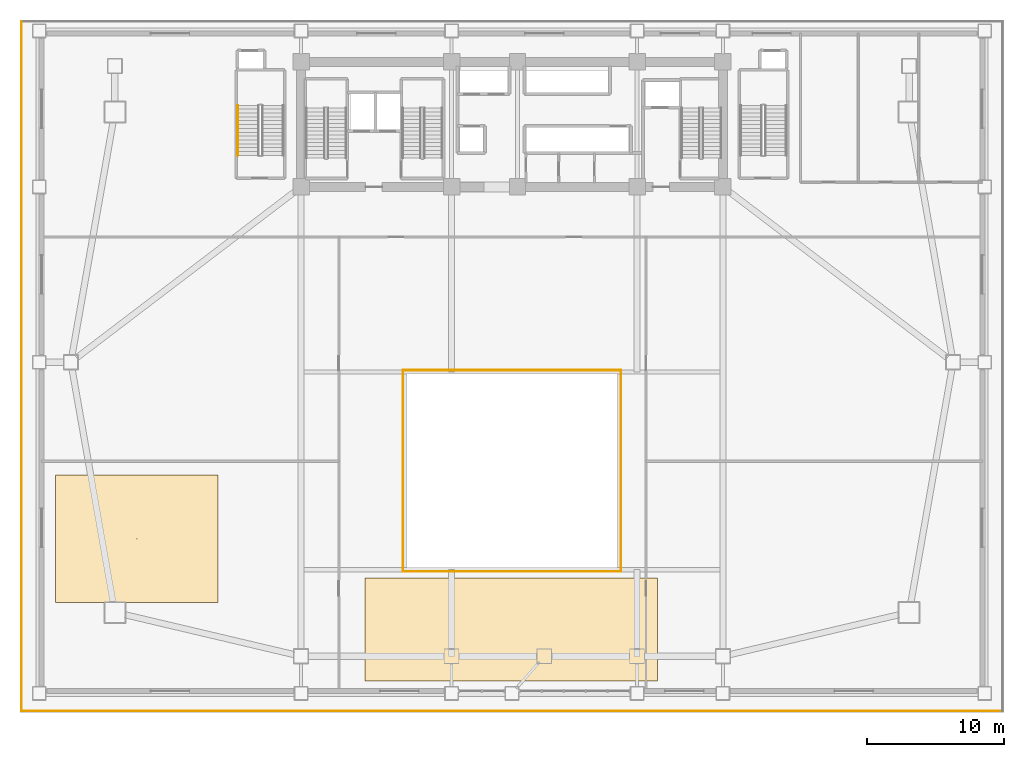
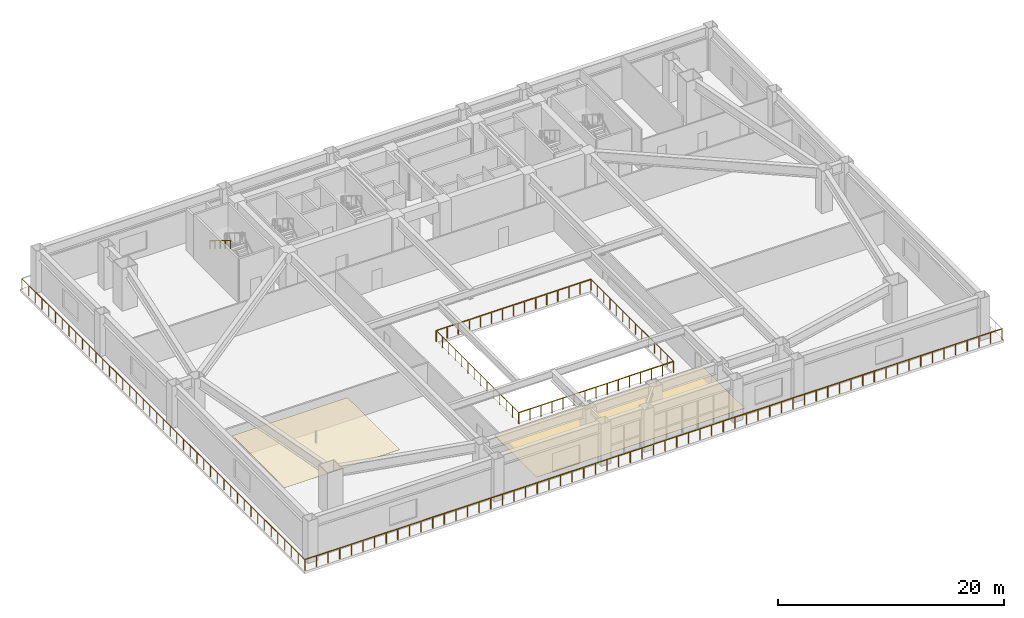
# One storey, part 11 of 14: 7 railings, 2 coverings.
"""IFC4 building model written with IfcOpenShell, lengths in metres."""

import ifcopenshell
import ifcopenshell.guid

model = None  # the IFC model being written
_history = None  # IfcOwnerHistory: only IFC2X3 demands one
_inside = {}  # id of a spatial element -> (the spatial element, [elements in it])
_under = {}  # id of a project, library or spatial element -> (it, [spatial elements below it])
_declared = {}  # id of a project -> (the project, [libraries it declares])
_typed = {}  # id of a type object -> (the type object, [elements of that type])
_made_of = {}  # id of a material, layer set ... -> (it, [elements and type objects made of it])


def new_model(schema):
    """Start an empty IFC model of exactly this schema.

    Asked for "IFC4X3", IfcOpenShell would pick the latest addendum, in which some entities
    have other attributes; the version numbers below select the first issue.
    IFC2X3 requires an IfcOwnerHistory on every rooted entity: one is made here for all.
    """
    global model, _history
    if schema == "IFC4X3":
        model = ifcopenshell.file(schema_version=(4, 3, 0, 0))
    else:
        model = ifcopenshell.file(schema=schema)
    _inside.clear()
    _under.clear()
    _declared.clear()
    _typed.clear()
    _made_of.clear()
    _history = None
    if model.schema == "IFC2X3":
        org = make("IfcOrganization", Name="unknown")
        user = make(
            "IfcPersonAndOrganization",
            ThePerson=make("IfcPerson", FamilyName="unknown"),
            TheOrganization=org,
        )
        app = make(
            "IfcApplication",
            ApplicationDeveloper=org,
            Version="unknown",
            ApplicationFullName="unknown",
            ApplicationIdentifier="unknown",
        )
        _history = make(
            "IfcOwnerHistory",
            OwningUser=user,
            OwningApplication=app,
            ChangeAction="ADDED",
            CreationDate=0,
        )
    return model


def make(cls, **values):
    """One entity of the class cls with the attributes given. An attribute that is None is left unset."""
    return model.create_entity(
        cls, **{name: value for name, value in values.items() if value is not None}
    )


def rooted(cls, **values):
    """An entity with a GlobalId (a new one), such as an element, a storey or a relation."""
    return make(cls, GlobalId=ifcopenshell.guid.new(), OwnerHistory=_history, **values)


def si_unit(unit_type, name, prefix=None):
    """IfcSIUnit, for example si_unit("LENGTHUNIT", "METRE", prefix="MILLI")."""
    return make("IfcSIUnit", UnitType=unit_type, Prefix=prefix, Name=name)


def assignment(units):
    """IfcUnitAssignment: the units of a project."""
    return None if units is None else make("IfcUnitAssignment", Units=units)


def point(xyz):
    """IfcCartesianPoint."""
    return None if xyz is None else make("IfcCartesianPoint", Coordinates=xyz)


def direction(xyz):
    """IfcDirection."""
    return None if xyz is None else make("IfcDirection", DirectionRatios=xyz)


def frame(location, z_axis=None, x_axis=None):
    """IfcAxis2Placement3D, a coordinate frame: its origin and axes. An axis left out is left unset."""
    return make(
        "IfcAxis2Placement3D",
        Location=point(location),
        Axis=direction(z_axis),
        RefDirection=direction(x_axis),
    )


def frame_2d(location, x_axis=None):
    """IfcAxis2Placement2D, a coordinate frame in the plane: its origin and x axis."""
    return make(
        "IfcAxis2Placement2D", Location=point(location), RefDirection=direction(x_axis)
    )


def origin():
    """The frame at (0, 0, 0) with its axes left unset."""
    return frame((0.0, 0.0, 0.0))


def origin_2d():
    """The frame at (0, 0) in the plane with its x axis left unset."""
    return frame_2d((0.0, 0.0))


def place(relative_to, where):
    """IfcLocalPlacement: puts the frame where relative to a parent placement (None: the world)."""
    return make(
        "IfcLocalPlacement", PlacementRelTo=relative_to, RelativePlacement=where
    )


def context(
    kind, dimensions, precision=None, world=None, true_north=None, identifier=None
):
    """IfcGeometricRepresentationContext, for example the 3D "Model" context."""
    return make(
        "IfcGeometricRepresentationContext",
        ContextIdentifier=identifier,
        ContextType=kind,
        CoordinateSpaceDimension=dimensions,
        Precision=precision,
        WorldCoordinateSystem=world,
        TrueNorth=true_north,
    )


def subcontext(parent, identifier, kind, view, scale=None):
    """IfcGeometricRepresentationSubContext, for example "Body" below "Model"."""
    return make(
        "IfcGeometricRepresentationSubContext",
        ContextIdentifier=identifier,
        ContextType=kind,
        ParentContext=parent,
        TargetScale=scale,
        TargetView=view,
    )


def project(units=None, contexts=None):
    """IfcProject with its units and contexts."""
    return rooted(
        "IfcProject",
        Name="project",
        RepresentationContexts=contexts,
        UnitsInContext=assignment(units),
    )


def spatial(cls, under=None, at=None, **own):
    """A site, building, storey or space (cls), placed at a placement, below another one or the project."""
    s = rooted(cls, ObjectPlacement=at, **own)
    if under is not None:
        _under.setdefault(under.id(), (under, []))[1].append(s)
    return s


def polyline(points):
    """IfcPolyline through the points."""
    return make("IfcPolyline", Points=[point(p) for p in points])


def profile(cls, at=None, kind="AREA", **sizes):
    """A parametric profile (cls). Its sizes go by their IFC names, for example OverallWidth=200.0."""
    return make(cls, ProfileType=kind, Position=at, **sizes)


def rectangle(**sizes):
    """IfcRectangleProfileDef."""
    return profile("IfcRectangleProfileDef", **sizes)


def outline(outer, holes=None, kind="AREA"):
    """IfcArbitraryClosedProfileDef: a profile drawn as a closed curve; with holes, ...WithVoids."""
    if holes is None:
        return make("IfcArbitraryClosedProfileDef", ProfileType=kind, OuterCurve=outer)
    return make(
        "IfcArbitraryProfileDefWithVoids",
        ProfileType=kind,
        OuterCurve=outer,
        InnerCurves=holes,
    )


def extrude(swept, where, along, depth):
    """IfcExtrudedAreaSolid: the profile swept, set in the frame where, extruded along a direction by depth."""
    return make(
        "IfcExtrudedAreaSolid",
        SweptArea=swept,
        Position=where,
        ExtrudedDirection=direction(along),
        Depth=depth,
    )


def shape(context_of_items, identifier, shape_type, items):
    """IfcShapeRepresentation: the items that make up one representation, for example the "Body"."""
    return make(
        "IfcShapeRepresentation",
        ContextOfItems=context_of_items,
        RepresentationIdentifier=identifier,
        RepresentationType=shape_type,
        Items=items,
    )


def material(Name=None, Category=None):
    """IfcMaterial."""
    return make("IfcMaterial", Name=Name, Category=Category)


def layer(
    of_material, thickness, ventilated=None, Name=None, Category=None, Priority=None
):
    """IfcMaterialLayer: one layer of a wall or slab, of a material (None: an air gap)."""
    return make(
        "IfcMaterialLayer",
        Material=of_material,
        LayerThickness=thickness,
        IsVentilated=ventilated,
        Name=Name,
        Category=Category,
        Priority=Priority,
    )


def layer_set(layers, Name=None):
    """IfcMaterialLayerSet."""
    return make("IfcMaterialLayerSet", MaterialLayers=layers, LayerSetName=Name)


def made_of(thing, what):
    """Note that an element or type object is made of a material, layer set ...; save() writes the relation."""
    if what is not None:
        _made_of.setdefault(what.id(), (what, []))[1].append(thing)
    return thing


def type_object(cls, material=None, **own):
    """A type object (cls), such as IfcWallType, which elements share."""
    return made_of(rooted(cls, **own), material)


def element(
    cls,
    number,
    at=None,
    inside=None,
    cuts=None,
    type_object=None,
    material=None,
    context=None,
    identifier="Body",
    shape_type=None,
    held_by="IfcProductDefinitionShape",
    body=None,
    shapes=None,
    **own,
):
    """One element of the class cls, such as IfcWall. Its Tag is "e" and its number.

    at: its placement. inside: the storey or other place that contains it. cuts: it is an
    opening in that element (IfcRelVoidsElement). A single representation is given by context,
    identifier, shape_type and body (its items); several are given by shapes. held_by: the class
    of the entity that holds the representations. save() writes the other relations.
    """
    e = rooted(cls, Tag="e%d" % number, ObjectPlacement=at, **own)
    if body is not None:
        shapes = [shape(context, identifier, shape_type, body)]
    if shapes is not None:
        e.Representation = make(held_by, Representations=shapes)
    if inside is not None:
        _inside.setdefault(inside.id(), (inside, []))[1].append(e)
    if cuts is not None:
        rooted(
            "IfcRelVoidsElement", RelatingBuildingElement=cuts, RelatedOpeningElement=e
        )
    if type_object is not None:
        _typed.setdefault(type_object.id(), (type_object, []))[1].append(e)
    return made_of(e, material)


def aggregate(whole, parts):
    """IfcRelAggregates: a whole, such as a stair, and the parts it consists of."""
    return rooted("IfcRelAggregates", RelatingObject=whole, RelatedObjects=parts)


def save(model, path):
    """Write the relations noted so far, then the file.

    IfcRelAggregates (storeys below a building ...), IfcRelContainedInSpatialStructure (elements
    in a storey), IfcRelDefinesByType, IfcRelAssociatesMaterial and IfcRelDeclares: one each for
    every whole, place, type object, material and project.
    """
    for whole, parts in _under.values():
        aggregate(whole, parts)
    for where, things in _inside.values():
        rooted(
            "IfcRelContainedInSpatialStructure",
            RelatedElements=things,
            RelatingStructure=where,
        )
    for kind, things in _typed.values():
        rooted("IfcRelDefinesByType", RelatedObjects=things, RelatingType=kind)
    for what, things in _made_of.values():
        rooted("IfcRelAssociatesMaterial", RelatedObjects=things, RelatingMaterial=what)
    for by, libraries in _declared.values():
        rooted("IfcRelDeclares", RelatingContext=by, RelatedDefinitions=libraries)
    model.write(path)


model = new_model("IFC4")

# Units and contexts
model_context = context("Model", 3, precision=1e-05, world=origin(), true_north=direction((0.0, 1.0)))
body_context = subcontext(model_context, "Body", "Model", "MODEL_VIEW")
ifc_project = project(units=[si_unit("LENGTHUNIT", "METRE"), si_unit("AREAUNIT", "SQUARE_METRE"), si_unit("VOLUMEUNIT", "CUBIC_METRE"), si_unit("PLANEANGLEUNIT", "RADIAN"), si_unit("MASSUNIT", "GRAM", prefix="KILO")], contexts=[model_context])

# Site, building, storey
site_placement = place(None, origin())
site = spatial("IfcSite", under=ifc_project, at=site_placement, CompositionType="ELEMENT")
building_placement = place(site_placement, origin())
building = spatial("IfcBuilding", under=site, at=building_placement, Name="Giltprow Tower", CompositionType="ELEMENT")
storey_placement = place(building_placement, frame((0.0, 0.0, 5.60009765625)))
storey = spatial("IfcBuildingStorey", under=building, at=storey_placement, Name="L02", CompositionType="ELEMENT", Elevation=5.60009765625)

# Coverings
ifc_material_1 = material(Name="Acoustic mineral fibre", Category="gypsum")
ifc_layer_1 = layer(ifc_material_1, 0.030029296875, Name="Acoustic mineral fibre")
ifc_layer_set_1 = layer_set([ifc_layer_1], Name="Acoustic mineral fibre")
covering_type_1 = type_object("IfcCoveringType", Name="COV-CLG-ACOUSTIC", PredefinedType="CEILING", material=ifc_layer_set_1)
covering_1_placement = place(storey_placement, frame((0.0, 0.0, 3.27001953125)))
element("IfcCovering", 1, at=covering_1_placement, inside=storey, type_object=covering_type_1, Name="L02 Acoustic Suspended Ceiling", PredefinedType="CEILING", context=body_context, shape_type="SweptSolid", body=[
    extrude(outline(polyline([(2.0, 7.199951171875), (13.800048828125, 7.199951171875), (13.800048828125, 16.5), (2.0, 16.5), (2.0, 7.199951171875)])), origin(), (0.0, 0.0, 1.0), 0.02978515625),
])
ifc_material_2 = material(Name="Honed granite", Category="masonry")
ifc_layer_2 = layer(ifc_material_2, 0.030029296875, Name="Honed granite")
ifc_layer_set_2 = layer_set([ifc_layer_2], Name="Honed granite")
covering_type_2 = type_object("IfcCoveringType", Name="COV-FLR-STONE", PredefinedType="FLOORING", material=ifc_layer_set_2)
covering_2_placement = place(storey_placement, origin())
element("IfcCovering", 2, at=covering_2_placement, inside=storey, type_object=covering_type_2, Name="L02 Honed Granite Concourse Flooring", PredefinedType="FLOORING", context=body_context, shape_type="SweptSolid", body=[
    extrude(outline(polyline([(24.5, 1.5), (45.800048828125, 1.5), (45.800048828125, 9.0), (24.5, 9.0), (24.5, 1.5)])), origin(), (0.0, 0.0, 1.0), 0.02978515625),
])

# Railings
ifc_material_3 = material(Name="Anodized bronze", Category="metal")
railing_type_1 = type_object("IfcRailingType", Name="RAIL-ATR-BAL-1220", PredefinedType="BALUSTRADE", material=ifc_material_3)
railing_1_placement = place(storey_placement, frame((27.280029296875, 9.47998046875, 0.0)))
element("IfcRailing", 3, at=railing_1_placement, inside=storey, type_object=railing_type_1, Name="L02 Podium Atrium Balustrade Seg 1", PredefinedType="BALUSTRADE", context=body_context, shape_type="SweptSolid", body=[
    extrude(rectangle(XDim=0.048095703125, YDim=0.048095703125, at=origin_2d()), frame((0.0, 0.0, 1.19580078125), z_axis=(1.0, 0.0, 0.0), x_axis=(0.0, 1.0, 0.0)), (0.0, 0.0, 1.0), 15.840087890625),
    extrude(rectangle(XDim=0.0419921875, YDim=0.0419921875, at=origin_2d()), origin(), (0.0, 0.0, 1.0), 1.171875),
    extrude(rectangle(XDim=0.0419921875, YDim=0.0419921875, at=origin_2d()), frame((1.13134765625, 0.0, 0.0)), (0.0, 0.0, 1.0), 1.171875),
    extrude(rectangle(XDim=0.0419921875, YDim=0.0419921875, at=origin_2d()), frame((2.262939453125, 0.0, 0.0)), (0.0, 0.0, 1.0), 1.171875),
    extrude(rectangle(XDim=0.0419921875, YDim=0.0419921875, at=origin_2d()), frame((3.394287109375, 0.0, 0.0)), (0.0, 0.0, 1.0), 1.171875),
    extrude(rectangle(XDim=0.0419921875, YDim=0.0419921875, at=origin_2d()), frame((4.525634765625, 0.0, 0.0)), (0.0, 0.0, 1.0), 1.171875),
    extrude(rectangle(XDim=0.0419921875, YDim=0.0419921875, at=origin_2d()), frame((5.6572265625, 0.0, 0.0)), (0.0, 0.0, 1.0), 1.171875),
    extrude(rectangle(XDim=0.0419921875, YDim=0.0419921875, at=origin_2d()), frame((6.78857421875, 0.0, 0.0)), (0.0, 0.0, 1.0), 1.171875),
    extrude(rectangle(XDim=0.0419921875, YDim=0.0419921875, at=origin_2d()), frame((7.919921875, 0.0, 0.0)), (0.0, 0.0, 1.0), 1.171875),
    extrude(rectangle(XDim=0.0419921875, YDim=0.0419921875, at=origin_2d()), frame((9.051513671875, 0.0, 0.0)), (0.0, 0.0, 1.0), 1.171875),
    extrude(rectangle(XDim=0.0419921875, YDim=0.0419921875, at=origin_2d()), frame((10.182861328125, 0.0, 0.0)), (0.0, 0.0, 1.0), 1.171875),
    extrude(rectangle(XDim=0.0419921875, YDim=0.0419921875, at=origin_2d()), frame((11.314453125, 0.0, 0.0)), (0.0, 0.0, 1.0), 1.171875),
    extrude(rectangle(XDim=0.0419921875, YDim=0.0419921875, at=origin_2d()), frame((12.44580078125, 0.0, 0.0)), (0.0, 0.0, 1.0), 1.171875),
    extrude(rectangle(XDim=0.0419921875, YDim=0.0419921875, at=origin_2d()), frame((13.5771484375, 0.0, 0.0)), (0.0, 0.0, 1.0), 1.171875),
    extrude(rectangle(XDim=0.0419921875, YDim=0.0419921875, at=origin_2d()), frame((14.708740234375, 0.0, 0.0)), (0.0, 0.0, 1.0), 1.171875),
    extrude(rectangle(XDim=0.0419921875, YDim=0.0419921875, at=origin_2d()), frame((15.840087890625, 0.0, 0.0)), (0.0, 0.0, 1.0), 1.171875),
])
railing_2_placement = place(storey_placement, frame((43.1201171875, 9.47998046875, 0.0)))
element("IfcRailing", 4, at=railing_2_placement, inside=storey, type_object=railing_type_1, Name="L02 Podium Atrium Balustrade Seg 2", PredefinedType="BALUSTRADE", context=body_context, shape_type="SweptSolid", body=[
    extrude(rectangle(XDim=0.048095703125, YDim=0.048095703125, at=origin_2d()), frame((0.0, 0.0, 1.19580078125), z_axis=(0.0, 1.0, 0.0), x_axis=(-1.0, 0.0, 0.0)), (0.0, 0.0, 1.0), 14.64013671875),
    extrude(rectangle(XDim=0.0419921875, YDim=0.0419921875, at=origin_2d()), origin(), (0.0, 0.0, 1.0), 1.171875),
    extrude(rectangle(XDim=0.0419921875, YDim=0.0419921875, at=origin_2d()), frame((0.0, 1.126220703125, 0.0)), (0.0, 0.0, 1.0), 1.171875),
    extrude(rectangle(XDim=0.0419921875, YDim=0.0419921875, at=origin_2d()), frame((0.0, 2.25244140625, 0.0)), (0.0, 0.0, 1.0), 1.171875),
    extrude(rectangle(XDim=0.0419921875, YDim=0.0419921875, at=origin_2d()), frame((0.0, 3.37841796875, 0.0)), (0.0, 0.0, 1.0), 1.171875),
    extrude(rectangle(XDim=0.0419921875, YDim=0.0419921875, at=origin_2d()), frame((0.0, 4.504638671875, 0.0)), (0.0, 0.0, 1.0), 1.171875),
    extrude(rectangle(XDim=0.0419921875, YDim=0.0419921875, at=origin_2d()), frame((0.0, 5.630859375, 0.0)), (0.0, 0.0, 1.0), 1.171875),
    extrude(rectangle(XDim=0.0419921875, YDim=0.0419921875, at=origin_2d()), frame((0.0, 6.757080078125, 0.0)), (0.0, 0.0, 1.0), 1.171875),
    extrude(rectangle(XDim=0.0419921875, YDim=0.0419921875, at=origin_2d()), frame((0.0, 7.883056640625, 0.0)), (0.0, 0.0, 1.0), 1.171875),
    extrude(rectangle(XDim=0.0419921875, YDim=0.0419921875, at=origin_2d()), frame((0.0, 9.00927734375, 0.0)), (0.0, 0.0, 1.0), 1.171875),
    extrude(rectangle(XDim=0.0419921875, YDim=0.0419921875, at=origin_2d()), frame((0.0, 10.135498046875, 0.0)), (0.0, 0.0, 1.0), 1.171875),
    extrude(rectangle(XDim=0.0419921875, YDim=0.0419921875, at=origin_2d()), frame((0.0, 11.26171875, 0.0)), (0.0, 0.0, 1.0), 1.171875),
    extrude(rectangle(XDim=0.0419921875, YDim=0.0419921875, at=origin_2d()), frame((0.0, 12.3876953125, 0.0)), (0.0, 0.0, 1.0), 1.171875),
    extrude(rectangle(XDim=0.0419921875, YDim=0.0419921875, at=origin_2d()), frame((0.0, 13.513916015625, 0.0)), (0.0, 0.0, 1.0), 1.171875),
    extrude(rectangle(XDim=0.0419921875, YDim=0.0419921875, at=origin_2d()), frame((0.0, 14.64013671875, 0.0)), (0.0, 0.0, 1.0), 1.171875),
])
railing_3_placement = place(storey_placement, frame((43.1201171875, 24.1201171875, 0.0)))
element("IfcRailing", 5, at=railing_3_placement, inside=storey, type_object=railing_type_1, Name="L02 Podium Atrium Balustrade Seg 3", PredefinedType="BALUSTRADE", context=body_context, shape_type="SweptSolid", body=[
    extrude(rectangle(XDim=0.048095703125, YDim=0.048095703125, at=origin_2d()), frame((0.0, 0.0, 1.19580078125), z_axis=(-1.0, 0.0, 0.0), x_axis=(0.0, -1.0, 0.0)), (0.0, 0.0, 1.0), 15.840087890625),
    extrude(rectangle(XDim=0.0419921875, YDim=0.0419921875, at=origin_2d()), origin(), (0.0, 0.0, 1.0), 1.171875),
    extrude(rectangle(XDim=0.0419921875, YDim=0.0419921875, at=origin_2d()), frame((-1.13134765625, 0.0, 0.0)), (0.0, 0.0, 1.0), 1.171875),
    extrude(rectangle(XDim=0.0419921875, YDim=0.0419921875, at=origin_2d()), frame((-2.262939453125, 0.0, 0.0)), (0.0, 0.0, 1.0), 1.171875),
    extrude(rectangle(XDim=0.0419921875, YDim=0.0419921875, at=origin_2d()), frame((-3.394287109375, 0.0, 0.0)), (0.0, 0.0, 1.0), 1.171875),
    extrude(rectangle(XDim=0.0419921875, YDim=0.0419921875, at=origin_2d()), frame((-4.525634765625, 0.0, 0.0)), (0.0, 0.0, 1.0), 1.171875),
    extrude(rectangle(XDim=0.0419921875, YDim=0.0419921875, at=origin_2d()), frame((-5.6572265625, 0.0, 0.0)), (0.0, 0.0, 1.0), 1.171875),
    extrude(rectangle(XDim=0.0419921875, YDim=0.0419921875, at=origin_2d()), frame((-6.78857421875, 0.0, 0.0)), (0.0, 0.0, 1.0), 1.171875),
    extrude(rectangle(XDim=0.0419921875, YDim=0.0419921875, at=origin_2d()), frame((-7.919921875, 0.0, 0.0)), (0.0, 0.0, 1.0), 1.171875),
    extrude(rectangle(XDim=0.0419921875, YDim=0.0419921875, at=origin_2d()), frame((-9.051513671875, 0.0, 0.0)), (0.0, 0.0, 1.0), 1.171875),
    extrude(rectangle(XDim=0.0419921875, YDim=0.0419921875, at=origin_2d()), frame((-10.182861328125, 0.0, 0.0)), (0.0, 0.0, 1.0), 1.171875),
    extrude(rectangle(XDim=0.0419921875, YDim=0.0419921875, at=origin_2d()), frame((-11.314453125, 0.0, 0.0)), (0.0, 0.0, 1.0), 1.171875),
    extrude(rectangle(XDim=0.0419921875, YDim=0.0419921875, at=origin_2d()), frame((-12.44580078125, 0.0, 0.0)), (0.0, 0.0, 1.0), 1.171875),
    extrude(rectangle(XDim=0.0419921875, YDim=0.0419921875, at=origin_2d()), frame((-13.5771484375, 0.0, 0.0)), (0.0, 0.0, 1.0), 1.171875),
    extrude(rectangle(XDim=0.0419921875, YDim=0.0419921875, at=origin_2d()), frame((-14.708740234375, 0.0, 0.0)), (0.0, 0.0, 1.0), 1.171875),
    extrude(rectangle(XDim=0.0419921875, YDim=0.0419921875, at=origin_2d()), frame((-15.840087890625, 0.0, 0.0)), (0.0, 0.0, 1.0), 1.171875),
])
railing_4_placement = place(storey_placement, frame((27.280029296875, 24.1201171875, 0.0)))
element("IfcRailing", 6, at=railing_4_placement, inside=storey, type_object=railing_type_1, Name="L02 Podium Atrium Balustrade Seg 4", PredefinedType="BALUSTRADE", context=body_context, shape_type="SweptSolid", body=[
    extrude(rectangle(XDim=0.048095703125, YDim=0.048095703125, at=origin_2d()), frame((0.0, 0.0, 1.19580078125), z_axis=(0.0, -1.0, 0.0), x_axis=(1.0, 0.0, 0.0)), (0.0, 0.0, 1.0), 14.64013671875),
    extrude(rectangle(XDim=0.0419921875, YDim=0.0419921875, at=origin_2d()), origin(), (0.0, 0.0, 1.0), 1.171875),
    extrude(rectangle(XDim=0.0419921875, YDim=0.0419921875, at=origin_2d()), frame((0.0, -1.126220703125, 0.0)), (0.0, 0.0, 1.0), 1.171875),
    extrude(rectangle(XDim=0.0419921875, YDim=0.0419921875, at=origin_2d()), frame((0.0, -2.25244140625, 0.0)), (0.0, 0.0, 1.0), 1.171875),
    extrude(rectangle(XDim=0.0419921875, YDim=0.0419921875, at=origin_2d()), frame((0.0, -3.37841796875, 0.0)), (0.0, 0.0, 1.0), 1.171875),
    extrude(rectangle(XDim=0.0419921875, YDim=0.0419921875, at=origin_2d()), frame((0.0, -4.504638671875, 0.0)), (0.0, 0.0, 1.0), 1.171875),
    extrude(rectangle(XDim=0.0419921875, YDim=0.0419921875, at=origin_2d()), frame((0.0, -5.630859375, 0.0)), (0.0, 0.0, 1.0), 1.171875),
    extrude(rectangle(XDim=0.0419921875, YDim=0.0419921875, at=origin_2d()), frame((0.0, -6.757080078125, 0.0)), (0.0, 0.0, 1.0), 1.171875),
    extrude(rectangle(XDim=0.0419921875, YDim=0.0419921875, at=origin_2d()), frame((0.0, -7.883056640625, 0.0)), (0.0, 0.0, 1.0), 1.171875),
    extrude(rectangle(XDim=0.0419921875, YDim=0.0419921875, at=origin_2d()), frame((0.0, -9.00927734375, 0.0)), (0.0, 0.0, 1.0), 1.171875),
    extrude(rectangle(XDim=0.0419921875, YDim=0.0419921875, at=origin_2d()), frame((0.0, -10.135498046875, 0.0)), (0.0, 0.0, 1.0), 1.171875),
    extrude(rectangle(XDim=0.0419921875, YDim=0.0419921875, at=origin_2d()), frame((0.0, -11.26171875, 0.0)), (0.0, 0.0, 1.0), 1.171875),
    extrude(rectangle(XDim=0.0419921875, YDim=0.0419921875, at=origin_2d()), frame((0.0, -12.3876953125, 0.0)), (0.0, 0.0, 1.0), 1.171875),
    extrude(rectangle(XDim=0.0419921875, YDim=0.0419921875, at=origin_2d()), frame((0.0, -13.513916015625, 0.0)), (0.0, 0.0, 1.0), 1.171875),
    extrude(rectangle(XDim=0.0419921875, YDim=0.0419921875, at=origin_2d()), frame((0.0, -14.64013671875, 0.0)), (0.0, 0.0, 1.0), 1.171875),
])
railing_type_2 = type_object("IfcRailingType", Name="RAIL-BALC-GUARD-1200", PredefinedType="BALUSTRADE", material=ifc_material_3)
railing_5_placement = place(storey_placement, frame((-0.47998046875, -0.679931640625, 0.0)))
element("IfcRailing", 7, at=railing_5_placement, inside=storey, type_object=railing_type_2, Name="L02 Podium Perimeter Cornice Balustrade Seg 1", PredefinedType="BALUSTRADE", context=body_context, shape_type="SweptSolid", body=[
    extrude(rectangle(XDim=0.048095703125, YDim=0.048095703125, at=origin_2d()), frame((0.0, 0.0, 1.17578125), z_axis=(1.0, 0.0, 0.0), x_axis=(0.0, 1.0, 0.0)), (0.0, 0.0, 1.0), 71.35986328125),
    extrude(rectangle(XDim=0.0419921875, YDim=0.0419921875, at=origin_2d()), origin(), (0.0, 0.0, 1.0), 1.15185546875),
    extrude(rectangle(XDim=0.0419921875, YDim=0.0419921875, at=origin_2d()), frame((1.189453125, 0.0, 0.0)), (0.0, 0.0, 1.0), 1.15185546875),
    extrude(rectangle(XDim=0.0419921875, YDim=0.0419921875, at=origin_2d()), frame((2.378662109375, 0.0, 0.0)), (0.0, 0.0, 1.0), 1.15185546875),
    extrude(rectangle(XDim=0.0419921875, YDim=0.0419921875, at=origin_2d()), frame((3.56787109375, 0.0, 0.0)), (0.0, 0.0, 1.0), 1.15185546875),
    extrude(rectangle(XDim=0.0419921875, YDim=0.0419921875, at=origin_2d()), frame((4.75732421875, 0.0, 0.0)), (0.0, 0.0, 1.0), 1.15185546875),
    extrude(rectangle(XDim=0.0419921875, YDim=0.0419921875, at=origin_2d()), frame((5.94677734375, 0.0, 0.0)), (0.0, 0.0, 1.0), 1.15185546875),
    extrude(rectangle(XDim=0.0419921875, YDim=0.0419921875, at=origin_2d()), frame((7.135986328125, 0.0, 0.0)), (0.0, 0.0, 1.0), 1.15185546875),
    extrude(rectangle(XDim=0.0419921875, YDim=0.0419921875, at=origin_2d()), frame((8.3251953125, 0.0, 0.0)), (0.0, 0.0, 1.0), 1.15185546875),
    extrude(rectangle(XDim=0.0419921875, YDim=0.0419921875, at=origin_2d()), frame((9.5146484375, 0.0, 0.0)), (0.0, 0.0, 1.0), 1.15185546875),
    extrude(rectangle(XDim=0.0419921875, YDim=0.0419921875, at=origin_2d()), frame((10.7041015625, 0.0, 0.0)), (0.0, 0.0, 1.0), 1.15185546875),
    extrude(rectangle(XDim=0.0419921875, YDim=0.0419921875, at=origin_2d()), frame((11.893310546875, 0.0, 0.0)), (0.0, 0.0, 1.0), 1.15185546875),
    extrude(rectangle(XDim=0.0419921875, YDim=0.0419921875, at=origin_2d()), frame((13.08251953125, 0.0, 0.0)), (0.0, 0.0, 1.0), 1.15185546875),
    extrude(rectangle(XDim=0.0419921875, YDim=0.0419921875, at=origin_2d()), frame((14.27197265625, 0.0, 0.0)), (0.0, 0.0, 1.0), 1.15185546875),
    extrude(rectangle(XDim=0.0419921875, YDim=0.0419921875, at=origin_2d()), frame((15.46142578125, 0.0, 0.0)), (0.0, 0.0, 1.0), 1.15185546875),
    extrude(rectangle(XDim=0.0419921875, YDim=0.0419921875, at=origin_2d()), frame((16.650634765625, 0.0, 0.0)), (0.0, 0.0, 1.0), 1.15185546875),
    extrude(rectangle(XDim=0.0419921875, YDim=0.0419921875, at=origin_2d()), frame((17.83984375, 0.0, 0.0)), (0.0, 0.0, 1.0), 1.15185546875),
    extrude(rectangle(XDim=0.0419921875, YDim=0.0419921875, at=origin_2d()), frame((19.029296875, 0.0, 0.0)), (0.0, 0.0, 1.0), 1.15185546875),
    extrude(rectangle(XDim=0.0419921875, YDim=0.0419921875, at=origin_2d()), frame((20.21875, 0.0, 0.0)), (0.0, 0.0, 1.0), 1.15185546875),
    extrude(rectangle(XDim=0.0419921875, YDim=0.0419921875, at=origin_2d()), frame((21.407958984375, 0.0, 0.0)), (0.0, 0.0, 1.0), 1.15185546875),
    extrude(rectangle(XDim=0.0419921875, YDim=0.0419921875, at=origin_2d()), frame((22.59716796875, 0.0, 0.0)), (0.0, 0.0, 1.0), 1.15185546875),
    extrude(rectangle(XDim=0.0419921875, YDim=0.0419921875, at=origin_2d()), frame((23.78662109375, 0.0, 0.0)), (0.0, 0.0, 1.0), 1.15185546875),
    extrude(rectangle(XDim=0.0419921875, YDim=0.0419921875, at=origin_2d()), frame((24.97607421875, 0.0, 0.0)), (0.0, 0.0, 1.0), 1.15185546875),
    extrude(rectangle(XDim=0.0419921875, YDim=0.0419921875, at=origin_2d()), frame((26.165283203125, 0.0, 0.0)), (0.0, 0.0, 1.0), 1.15185546875),
    extrude(rectangle(XDim=0.0419921875, YDim=0.0419921875, at=origin_2d()), frame((27.354736328125, 0.0, 0.0)), (0.0, 0.0, 1.0), 1.15185546875),
    extrude(rectangle(XDim=0.0419921875, YDim=0.0419921875, at=origin_2d()), frame((28.5439453125, 0.0, 0.0)), (0.0, 0.0, 1.0), 1.15185546875),
    extrude(rectangle(XDim=0.0419921875, YDim=0.0419921875, at=origin_2d()), frame((29.7333984375, 0.0, 0.0)), (0.0, 0.0, 1.0), 1.15185546875),
    extrude(rectangle(XDim=0.0419921875, YDim=0.0419921875, at=origin_2d()), frame((30.922607421875, 0.0, 0.0)), (0.0, 0.0, 1.0), 1.15185546875),
    extrude(rectangle(XDim=0.0419921875, YDim=0.0419921875, at=origin_2d()), frame((32.11181640625, 0.0, 0.0)), (0.0, 0.0, 1.0), 1.15185546875),
    extrude(rectangle(XDim=0.0419921875, YDim=0.0419921875, at=origin_2d()), frame((33.30126953125, 0.0, 0.0)), (0.0, 0.0, 1.0), 1.15185546875),
    extrude(rectangle(XDim=0.0419921875, YDim=0.0419921875, at=origin_2d()), frame((34.49072265625, 0.0, 0.0)), (0.0, 0.0, 1.0), 1.15185546875),
    extrude(rectangle(XDim=0.0419921875, YDim=0.0419921875, at=origin_2d()), frame((35.679931640625, 0.0, 0.0)), (0.0, 0.0, 1.0), 1.15185546875),
    extrude(rectangle(XDim=0.0419921875, YDim=0.0419921875, at=origin_2d()), frame((36.869384765625, 0.0, 0.0)), (0.0, 0.0, 1.0), 1.15185546875),
    extrude(rectangle(XDim=0.0419921875, YDim=0.0419921875, at=origin_2d()), frame((38.05859375, 0.0, 0.0)), (0.0, 0.0, 1.0), 1.15185546875),
    extrude(rectangle(XDim=0.0419921875, YDim=0.0419921875, at=origin_2d()), frame((39.248046875, 0.0, 0.0)), (0.0, 0.0, 1.0), 1.15185546875),
    extrude(rectangle(XDim=0.0419921875, YDim=0.0419921875, at=origin_2d()), frame((40.437255859375, 0.0, 0.0)), (0.0, 0.0, 1.0), 1.15185546875),
    extrude(rectangle(XDim=0.0419921875, YDim=0.0419921875, at=origin_2d()), frame((41.62646484375, 0.0, 0.0)), (0.0, 0.0, 1.0), 1.15185546875),
    extrude(rectangle(XDim=0.0419921875, YDim=0.0419921875, at=origin_2d()), frame((42.81591796875, 0.0, 0.0)), (0.0, 0.0, 1.0), 1.15185546875),
    extrude(rectangle(XDim=0.0419921875, YDim=0.0419921875, at=origin_2d()), frame((44.00537109375, 0.0, 0.0)), (0.0, 0.0, 1.0), 1.15185546875),
    extrude(rectangle(XDim=0.0419921875, YDim=0.0419921875, at=origin_2d()), frame((45.194580078125, 0.0, 0.0)), (0.0, 0.0, 1.0), 1.15185546875),
    extrude(rectangle(XDim=0.0419921875, YDim=0.0419921875, at=origin_2d()), frame((46.3837890625, 0.0, 0.0)), (0.0, 0.0, 1.0), 1.15185546875),
    extrude(rectangle(XDim=0.0419921875, YDim=0.0419921875, at=origin_2d()), frame((47.5732421875, 0.0, 0.0)), (0.0, 0.0, 1.0), 1.15185546875),
    extrude(rectangle(XDim=0.0419921875, YDim=0.0419921875, at=origin_2d()), frame((48.7626953125, 0.0, 0.0)), (0.0, 0.0, 1.0), 1.15185546875),
    extrude(rectangle(XDim=0.0419921875, YDim=0.0419921875, at=origin_2d()), frame((49.951904296875, 0.0, 0.0)), (0.0, 0.0, 1.0), 1.15185546875),
    extrude(rectangle(XDim=0.0419921875, YDim=0.0419921875, at=origin_2d()), frame((51.14111328125, 0.0, 0.0)), (0.0, 0.0, 1.0), 1.15185546875),
    extrude(rectangle(XDim=0.0419921875, YDim=0.0419921875, at=origin_2d()), frame((52.33056640625, 0.0, 0.0)), (0.0, 0.0, 1.0), 1.15185546875),
    extrude(rectangle(XDim=0.0419921875, YDim=0.0419921875, at=origin_2d()), frame((53.52001953125, 0.0, 0.0)), (0.0, 0.0, 1.0), 1.15185546875),
    extrude(rectangle(XDim=0.0419921875, YDim=0.0419921875, at=origin_2d()), frame((54.709228515625, 0.0, 0.0)), (0.0, 0.0, 1.0), 1.15185546875),
    extrude(rectangle(XDim=0.0419921875, YDim=0.0419921875, at=origin_2d()), frame((55.8984375, 0.0, 0.0)), (0.0, 0.0, 1.0), 1.15185546875),
    extrude(rectangle(XDim=0.0419921875, YDim=0.0419921875, at=origin_2d()), frame((57.087890625, 0.0, 0.0)), (0.0, 0.0, 1.0), 1.15185546875),
    extrude(rectangle(XDim=0.0419921875, YDim=0.0419921875, at=origin_2d()), frame((58.27734375, 0.0, 0.0)), (0.0, 0.0, 1.0), 1.15185546875),
    extrude(rectangle(XDim=0.0419921875, YDim=0.0419921875, at=origin_2d()), frame((59.466552734375, 0.0, 0.0)), (0.0, 0.0, 1.0), 1.15185546875),
    extrude(rectangle(XDim=0.0419921875, YDim=0.0419921875, at=origin_2d()), frame((60.65576171875, 0.0, 0.0)), (0.0, 0.0, 1.0), 1.15185546875),
    extrude(rectangle(XDim=0.0419921875, YDim=0.0419921875, at=origin_2d()), frame((61.84521484375, 0.0, 0.0)), (0.0, 0.0, 1.0), 1.15185546875),
    extrude(rectangle(XDim=0.0419921875, YDim=0.0419921875, at=origin_2d()), frame((63.03466796875, 0.0, 0.0)), (0.0, 0.0, 1.0), 1.15185546875),
    extrude(rectangle(XDim=0.0419921875, YDim=0.0419921875, at=origin_2d()), frame((64.223876953125, 0.0, 0.0)), (0.0, 0.0, 1.0), 1.15185546875),
    extrude(rectangle(XDim=0.0419921875, YDim=0.0419921875, at=origin_2d()), frame((65.4130859375, 0.0, 0.0)), (0.0, 0.0, 1.0), 1.15185546875),
    extrude(rectangle(XDim=0.0419921875, YDim=0.0419921875, at=origin_2d()), frame((66.6025390625, 0.0, 0.0)), (0.0, 0.0, 1.0), 1.15185546875),
    extrude(rectangle(XDim=0.0419921875, YDim=0.0419921875, at=origin_2d()), frame((67.7919921875, 0.0, 0.0)), (0.0, 0.0, 1.0), 1.15185546875),
    extrude(rectangle(XDim=0.0419921875, YDim=0.0419921875, at=origin_2d()), frame((68.981201171875, 0.0, 0.0)), (0.0, 0.0, 1.0), 1.15185546875),
    extrude(rectangle(XDim=0.0419921875, YDim=0.0419921875, at=origin_2d()), frame((70.17041015625, 0.0, 0.0)), (0.0, 0.0, 1.0), 1.15185546875),
    extrude(rectangle(XDim=0.0419921875, YDim=0.0419921875, at=origin_2d()), frame((71.35986328125, 0.0, 0.0)), (0.0, 0.0, 1.0), 1.15185546875),
])
railing_6_placement = place(storey_placement, frame((-0.47998046875, 49.47998046875, 0.0)))
element("IfcRailing", 8, at=railing_6_placement, inside=storey, type_object=railing_type_2, Name="L02 Podium Perimeter Cornice Balustrade Seg 4", PredefinedType="BALUSTRADE", context=body_context, shape_type="SweptSolid", body=[
    extrude(rectangle(XDim=0.048095703125, YDim=0.048095703125, at=origin_2d()), frame((0.0, 0.0, 1.17578125), z_axis=(0.0, -1.0, 0.0), x_axis=(1.0, 0.0, 0.0)), (0.0, 0.0, 1.0), 50.159912109375),
    extrude(rectangle(XDim=0.0419921875, YDim=0.0419921875, at=origin_2d()), origin(), (0.0, 0.0, 1.0), 1.15185546875),
    extrude(rectangle(XDim=0.0419921875, YDim=0.0419921875, at=origin_2d()), frame((0.0, -1.1943359375, 0.0)), (0.0, 0.0, 1.0), 1.15185546875),
    extrude(rectangle(XDim=0.0419921875, YDim=0.0419921875, at=origin_2d()), frame((0.0, -2.388671875, 0.0)), (0.0, 0.0, 1.0), 1.15185546875),
    extrude(rectangle(XDim=0.0419921875, YDim=0.0419921875, at=origin_2d()), frame((0.0, -3.582763671875, 0.0)), (0.0, 0.0, 1.0), 1.15185546875),
    extrude(rectangle(XDim=0.0419921875, YDim=0.0419921875, at=origin_2d()), frame((0.0, -4.777099609375, 0.0)), (0.0, 0.0, 1.0), 1.15185546875),
    extrude(rectangle(XDim=0.0419921875, YDim=0.0419921875, at=origin_2d()), frame((0.0, -5.971435546875, 0.0)), (0.0, 0.0, 1.0), 1.15185546875),
    extrude(rectangle(XDim=0.0419921875, YDim=0.0419921875, at=origin_2d()), frame((0.0, -7.165771484375, 0.0)), (0.0, 0.0, 1.0), 1.15185546875),
    extrude(rectangle(XDim=0.0419921875, YDim=0.0419921875, at=origin_2d()), frame((0.0, -8.35986328125, 0.0)), (0.0, 0.0, 1.0), 1.15185546875),
    extrude(rectangle(XDim=0.0419921875, YDim=0.0419921875, at=origin_2d()), frame((0.0, -9.55419921875, 0.0)), (0.0, 0.0, 1.0), 1.15185546875),
    extrude(rectangle(XDim=0.0419921875, YDim=0.0419921875, at=origin_2d()), frame((0.0, -10.74853515625, 0.0)), (0.0, 0.0, 1.0), 1.15185546875),
    extrude(rectangle(XDim=0.0419921875, YDim=0.0419921875, at=origin_2d()), frame((0.0, -11.94287109375, 0.0)), (0.0, 0.0, 1.0), 1.15185546875),
    extrude(rectangle(XDim=0.0419921875, YDim=0.0419921875, at=origin_2d()), frame((0.0, -13.13720703125, 0.0)), (0.0, 0.0, 1.0), 1.15185546875),
    extrude(rectangle(XDim=0.0419921875, YDim=0.0419921875, at=origin_2d()), frame((0.0, -14.331298828125, 0.0)), (0.0, 0.0, 1.0), 1.15185546875),
    extrude(rectangle(XDim=0.0419921875, YDim=0.0419921875, at=origin_2d()), frame((0.0, -15.525634765625, 0.0)), (0.0, 0.0, 1.0), 1.15185546875),
    extrude(rectangle(XDim=0.0419921875, YDim=0.0419921875, at=origin_2d()), frame((0.0, -16.719970703125, 0.0)), (0.0, 0.0, 1.0), 1.15185546875),
    extrude(rectangle(XDim=0.0419921875, YDim=0.0419921875, at=origin_2d()), frame((0.0, -17.914306640625, 0.0)), (0.0, 0.0, 1.0), 1.15185546875),
    extrude(rectangle(XDim=0.0419921875, YDim=0.0419921875, at=origin_2d()), frame((0.0, -19.108642578125, 0.0)), (0.0, 0.0, 1.0), 1.15185546875),
    extrude(rectangle(XDim=0.0419921875, YDim=0.0419921875, at=origin_2d()), frame((0.0, -20.302734375, 0.0)), (0.0, 0.0, 1.0), 1.15185546875),
    extrude(rectangle(XDim=0.0419921875, YDim=0.0419921875, at=origin_2d()), frame((0.0, -21.4970703125, 0.0)), (0.0, 0.0, 1.0), 1.15185546875),
    extrude(rectangle(XDim=0.0419921875, YDim=0.0419921875, at=origin_2d()), frame((0.0, -22.69140625, 0.0)), (0.0, 0.0, 1.0), 1.15185546875),
    extrude(rectangle(XDim=0.0419921875, YDim=0.0419921875, at=origin_2d()), frame((0.0, -23.8857421875, 0.0)), (0.0, 0.0, 1.0), 1.15185546875),
    extrude(rectangle(XDim=0.0419921875, YDim=0.0419921875, at=origin_2d()), frame((0.0, -25.080078125, 0.0)), (0.0, 0.0, 1.0), 1.15185546875),
    extrude(rectangle(XDim=0.0419921875, YDim=0.0419921875, at=origin_2d()), frame((0.0, -26.274169921875, 0.0)), (0.0, 0.0, 1.0), 1.15185546875),
    extrude(rectangle(XDim=0.0419921875, YDim=0.0419921875, at=origin_2d()), frame((0.0, -27.468505859375, 0.0)), (0.0, 0.0, 1.0), 1.15185546875),
    extrude(rectangle(XDim=0.0419921875, YDim=0.0419921875, at=origin_2d()), frame((0.0, -28.662841796875, 0.0)), (0.0, 0.0, 1.0), 1.15185546875),
    extrude(rectangle(XDim=0.0419921875, YDim=0.0419921875, at=origin_2d()), frame((0.0, -29.857177734375, 0.0)), (0.0, 0.0, 1.0), 1.15185546875),
    extrude(rectangle(XDim=0.0419921875, YDim=0.0419921875, at=origin_2d()), frame((0.0, -31.05126953125, 0.0)), (0.0, 0.0, 1.0), 1.15185546875),
    extrude(rectangle(XDim=0.0419921875, YDim=0.0419921875, at=origin_2d()), frame((0.0, -32.24560546875, 0.0)), (0.0, 0.0, 1.0), 1.15185546875),
    extrude(rectangle(XDim=0.0419921875, YDim=0.0419921875, at=origin_2d()), frame((0.0, -33.43994140625, 0.0)), (0.0, 0.0, 1.0), 1.15185546875),
    extrude(rectangle(XDim=0.0419921875, YDim=0.0419921875, at=origin_2d()), frame((0.0, -34.63427734375, 0.0)), (0.0, 0.0, 1.0), 1.15185546875),
    extrude(rectangle(XDim=0.0419921875, YDim=0.0419921875, at=origin_2d()), frame((0.0, -35.82861328125, 0.0)), (0.0, 0.0, 1.0), 1.15185546875),
    extrude(rectangle(XDim=0.0419921875, YDim=0.0419921875, at=origin_2d()), frame((0.0, -37.022705078125, 0.0)), (0.0, 0.0, 1.0), 1.15185546875),
    extrude(rectangle(XDim=0.0419921875, YDim=0.0419921875, at=origin_2d()), frame((0.0, -38.217041015625, 0.0)), (0.0, 0.0, 1.0), 1.15185546875),
    extrude(rectangle(XDim=0.0419921875, YDim=0.0419921875, at=origin_2d()), frame((0.0, -39.411376953125, 0.0)), (0.0, 0.0, 1.0), 1.15185546875),
    extrude(rectangle(XDim=0.0419921875, YDim=0.0419921875, at=origin_2d()), frame((0.0, -40.605712890625, 0.0)), (0.0, 0.0, 1.0), 1.15185546875),
    extrude(rectangle(XDim=0.0419921875, YDim=0.0419921875, at=origin_2d()), frame((0.0, -41.7998046875, 0.0)), (0.0, 0.0, 1.0), 1.15185546875),
    extrude(rectangle(XDim=0.0419921875, YDim=0.0419921875, at=origin_2d()), frame((0.0, -42.994140625, 0.0)), (0.0, 0.0, 1.0), 1.15185546875),
    extrude(rectangle(XDim=0.0419921875, YDim=0.0419921875, at=origin_2d()), frame((0.0, -44.1884765625, 0.0)), (0.0, 0.0, 1.0), 1.15185546875),
    extrude(rectangle(XDim=0.0419921875, YDim=0.0419921875, at=origin_2d()), frame((0.0, -45.3828125, 0.0)), (0.0, 0.0, 1.0), 1.15185546875),
    extrude(rectangle(XDim=0.0419921875, YDim=0.0419921875, at=origin_2d()), frame((0.0, -46.5771484375, 0.0)), (0.0, 0.0, 1.0), 1.15185546875),
    extrude(rectangle(XDim=0.0419921875, YDim=0.0419921875, at=origin_2d()), frame((0.0, -47.771240234375, 0.0)), (0.0, 0.0, 1.0), 1.15185546875),
    extrude(rectangle(XDim=0.0419921875, YDim=0.0419921875, at=origin_2d()), frame((0.0, -48.965576171875, 0.0)), (0.0, 0.0, 1.0), 1.15185546875),
    extrude(rectangle(XDim=0.0419921875, YDim=0.0419921875, at=origin_2d()), frame((0.0, -50.159912109375, 0.0)), (0.0, 0.0, 1.0), 1.15185546875),
])
railing_type_3 = type_object("IfcRailingType", Name="RAIL-STAIR-HAND-900", PredefinedType="HANDRAIL", material=ifc_material_3)
railing_7_placement = place(storey_placement, frame((15.25, 43.389892578125, 2.5712890625)))
element("IfcRailing", 9, at=railing_7_placement, inside=storey, type_object=railing_type_3, Name="L02 ST-P1 stair handrail 2", PredefinedType="HANDRAIL", context=body_context, shape_type="SweptSolid", body=[
    extrude(rectangle(XDim=0.048095703125, YDim=0.048095703125, at=origin_2d()), frame((0.0, 0.0, 0.8759765625), z_axis=(0.0, -0.852850264322, 0.5221555579), x_axis=(1.0, 0.0, 0.0)), (0.0, 0.0, 1.0), 4.267822265625),
    extrude(rectangle(XDim=0.0419921875, YDim=0.0419921875, at=origin_2d()), origin(), (0.0, 0.0, 1.0), 0.851806640625),
    extrude(rectangle(XDim=0.0419921875, YDim=0.0419921875, at=origin_2d()), frame((0.0, -0.909912109375, 0.55712890625)), (0.0, 0.0, 1.0), 0.851806640625),
    extrude(rectangle(XDim=0.0419921875, YDim=0.0419921875, at=origin_2d()), frame((0.0, -1.81982421875, 1.1142578125)), (0.0, 0.0, 1.0), 0.851806640625),
    extrude(rectangle(XDim=0.0419921875, YDim=0.0419921875, at=origin_2d()), frame((0.0, -2.72998046875, 1.67138671875)), (0.0, 0.0, 1.0), 0.851806640625),
    extrude(rectangle(XDim=0.0419921875, YDim=0.0419921875, at=origin_2d()), frame((0.0, -3.639892578125, 2.228515625)), (0.0, 0.0, 1.0), 0.851806640625),
])

save(model, "model.ifc")
